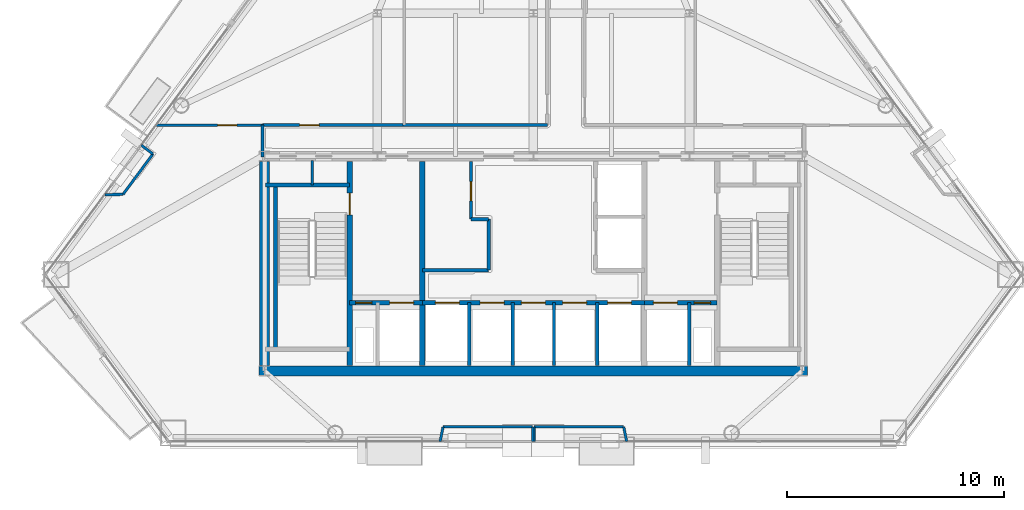
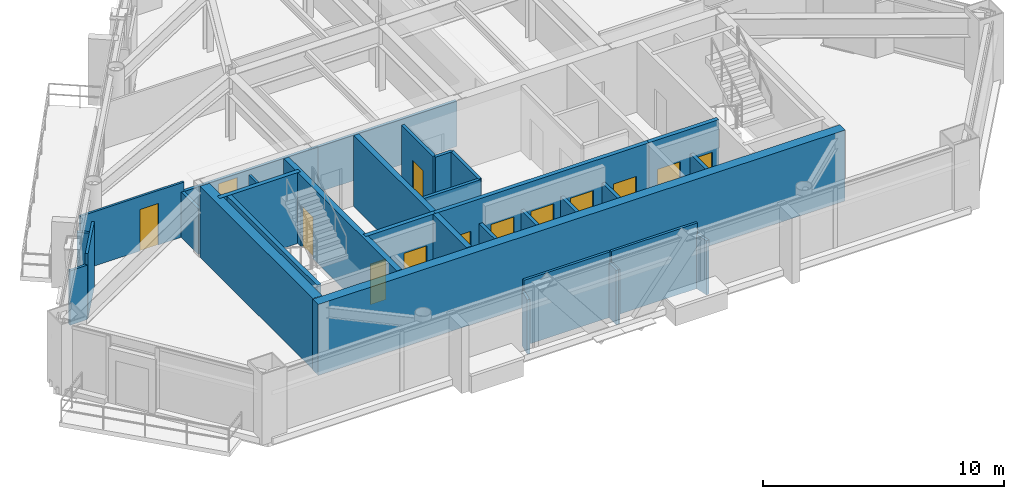
# One storey, part 7 of 11: 32 walls, 13 doors, 13 openings.
"""IFC4 building model written with IfcOpenShell, lengths in metres."""

import ifcopenshell
import ifcopenshell.guid

model = None  # the IFC model being written
_history = None  # IfcOwnerHistory: only IFC2X3 demands one
_inside = {}  # id of a spatial element -> (the spatial element, [elements in it])
_under = {}  # id of a project, library or spatial element -> (it, [spatial elements below it])
_declared = {}  # id of a project -> (the project, [libraries it declares])
_typed = {}  # id of a type object -> (the type object, [elements of that type])
_made_of = {}  # id of a material, layer set ... -> (it, [elements and type objects made of it])


def new_model(schema):
    """Start an empty IFC model of exactly this schema.

    Asked for "IFC4X3", IfcOpenShell would pick the latest addendum, in which some entities
    have other attributes; the version numbers below select the first issue.
    IFC2X3 requires an IfcOwnerHistory on every rooted entity: one is made here for all.
    """
    global model, _history
    if schema == "IFC4X3":
        model = ifcopenshell.file(schema_version=(4, 3, 0, 0))
    else:
        model = ifcopenshell.file(schema=schema)
    _inside.clear()
    _under.clear()
    _declared.clear()
    _typed.clear()
    _made_of.clear()
    _history = None
    if model.schema == "IFC2X3":
        org = make("IfcOrganization", Name="unknown")
        user = make(
            "IfcPersonAndOrganization",
            ThePerson=make("IfcPerson", FamilyName="unknown"),
            TheOrganization=org,
        )
        app = make(
            "IfcApplication",
            ApplicationDeveloper=org,
            Version="unknown",
            ApplicationFullName="unknown",
            ApplicationIdentifier="unknown",
        )
        _history = make(
            "IfcOwnerHistory",
            OwningUser=user,
            OwningApplication=app,
            ChangeAction="ADDED",
            CreationDate=0,
        )
    return model


def make(cls, **values):
    """One entity of the class cls with the attributes given. An attribute that is None is left unset."""
    return model.create_entity(
        cls, **{name: value for name, value in values.items() if value is not None}
    )


def rooted(cls, **values):
    """An entity with a GlobalId (a new one), such as an element, a storey or a relation."""
    return make(cls, GlobalId=ifcopenshell.guid.new(), OwnerHistory=_history, **values)


def si_unit(unit_type, name, prefix=None):
    """IfcSIUnit, for example si_unit("LENGTHUNIT", "METRE", prefix="MILLI")."""
    return make("IfcSIUnit", UnitType=unit_type, Prefix=prefix, Name=name)


def assignment(units):
    """IfcUnitAssignment: the units of a project."""
    return None if units is None else make("IfcUnitAssignment", Units=units)


def point(xyz):
    """IfcCartesianPoint."""
    return None if xyz is None else make("IfcCartesianPoint", Coordinates=xyz)


def direction(xyz):
    """IfcDirection."""
    return None if xyz is None else make("IfcDirection", DirectionRatios=xyz)


def frame(location, z_axis=None, x_axis=None):
    """IfcAxis2Placement3D, a coordinate frame: its origin and axes. An axis left out is left unset."""
    return make(
        "IfcAxis2Placement3D",
        Location=point(location),
        Axis=direction(z_axis),
        RefDirection=direction(x_axis),
    )


def frame_2d(location, x_axis=None):
    """IfcAxis2Placement2D, a coordinate frame in the plane: its origin and x axis."""
    return make(
        "IfcAxis2Placement2D", Location=point(location), RefDirection=direction(x_axis)
    )


def origin():
    """The frame at (0, 0, 0) with its axes left unset."""
    return frame((0.0, 0.0, 0.0))


def place(relative_to, where):
    """IfcLocalPlacement: puts the frame where relative to a parent placement (None: the world)."""
    return make(
        "IfcLocalPlacement", PlacementRelTo=relative_to, RelativePlacement=where
    )


def context(
    kind, dimensions, precision=None, world=None, true_north=None, identifier=None
):
    """IfcGeometricRepresentationContext, for example the 3D "Model" context."""
    return make(
        "IfcGeometricRepresentationContext",
        ContextIdentifier=identifier,
        ContextType=kind,
        CoordinateSpaceDimension=dimensions,
        Precision=precision,
        WorldCoordinateSystem=world,
        TrueNorth=true_north,
    )


def subcontext(parent, identifier, kind, view, scale=None):
    """IfcGeometricRepresentationSubContext, for example "Body" below "Model"."""
    return make(
        "IfcGeometricRepresentationSubContext",
        ContextIdentifier=identifier,
        ContextType=kind,
        ParentContext=parent,
        TargetScale=scale,
        TargetView=view,
    )


def project(units=None, contexts=None):
    """IfcProject with its units and contexts."""
    return rooted(
        "IfcProject",
        Name="project",
        RepresentationContexts=contexts,
        UnitsInContext=assignment(units),
    )


def spatial(cls, under=None, at=None, **own):
    """A site, building, storey or space (cls), placed at a placement, below another one or the project."""
    s = rooted(cls, ObjectPlacement=at, **own)
    if under is not None:
        _under.setdefault(under.id(), (under, []))[1].append(s)
    return s


def profile(cls, at=None, kind="AREA", **sizes):
    """A parametric profile (cls). Its sizes go by their IFC names, for example OverallWidth=200.0."""
    return make(cls, ProfileType=kind, Position=at, **sizes)


def rectangle(**sizes):
    """IfcRectangleProfileDef."""
    return profile("IfcRectangleProfileDef", **sizes)


def extrude(swept, where, along, depth):
    """IfcExtrudedAreaSolid: the profile swept, set in the frame where, extruded along a direction by depth."""
    return make(
        "IfcExtrudedAreaSolid",
        SweptArea=swept,
        Position=where,
        ExtrudedDirection=direction(along),
        Depth=depth,
    )


def shape(context_of_items, identifier, shape_type, items):
    """IfcShapeRepresentation: the items that make up one representation, for example the "Body"."""
    return make(
        "IfcShapeRepresentation",
        ContextOfItems=context_of_items,
        RepresentationIdentifier=identifier,
        RepresentationType=shape_type,
        Items=items,
    )


def material(Name=None, Category=None):
    """IfcMaterial."""
    return make("IfcMaterial", Name=Name, Category=Category)


def layer(
    of_material, thickness, ventilated=None, Name=None, Category=None, Priority=None
):
    """IfcMaterialLayer: one layer of a wall or slab, of a material (None: an air gap)."""
    return make(
        "IfcMaterialLayer",
        Material=of_material,
        LayerThickness=thickness,
        IsVentilated=ventilated,
        Name=Name,
        Category=Category,
        Priority=Priority,
    )


def layer_set(layers, Name=None):
    """IfcMaterialLayerSet."""
    return make("IfcMaterialLayerSet", MaterialLayers=layers, LayerSetName=Name)


def made_of(thing, what):
    """Note that an element or type object is made of a material, layer set ...; save() writes the relation."""
    if what is not None:
        _made_of.setdefault(what.id(), (what, []))[1].append(thing)
    return thing


def type_object(cls, material=None, **own):
    """A type object (cls), such as IfcWallType, which elements share."""
    return made_of(rooted(cls, **own), material)


def element(
    cls,
    number,
    at=None,
    inside=None,
    cuts=None,
    type_object=None,
    material=None,
    context=None,
    identifier="Body",
    shape_type=None,
    held_by="IfcProductDefinitionShape",
    body=None,
    shapes=None,
    **own,
):
    """One element of the class cls, such as IfcWall. Its Tag is "e" and its number.

    at: its placement. inside: the storey or other place that contains it. cuts: it is an
    opening in that element (IfcRelVoidsElement). A single representation is given by context,
    identifier, shape_type and body (its items); several are given by shapes. held_by: the class
    of the entity that holds the representations. save() writes the other relations.
    """
    e = rooted(cls, Tag="e%d" % number, ObjectPlacement=at, **own)
    if body is not None:
        shapes = [shape(context, identifier, shape_type, body)]
    if shapes is not None:
        e.Representation = make(held_by, Representations=shapes)
    if inside is not None:
        _inside.setdefault(inside.id(), (inside, []))[1].append(e)
    if cuts is not None:
        rooted(
            "IfcRelVoidsElement", RelatingBuildingElement=cuts, RelatedOpeningElement=e
        )
    if type_object is not None:
        _typed.setdefault(type_object.id(), (type_object, []))[1].append(e)
    return made_of(e, material)


def fill(opening, filler):
    """IfcRelFillsElement: the door or window that sits in an opening."""
    return rooted(
        "IfcRelFillsElement",
        RelatingOpeningElement=opening,
        RelatedBuildingElement=filler,
    )


def aggregate(whole, parts):
    """IfcRelAggregates: a whole, such as a stair, and the parts it consists of."""
    return rooted("IfcRelAggregates", RelatingObject=whole, RelatedObjects=parts)


def save(model, path):
    """Write the relations noted so far, then the file.

    IfcRelAggregates (storeys below a building ...), IfcRelContainedInSpatialStructure (elements
    in a storey), IfcRelDefinesByType, IfcRelAssociatesMaterial and IfcRelDeclares: one each for
    every whole, place, type object, material and project.
    """
    for whole, parts in _under.values():
        aggregate(whole, parts)
    for where, things in _inside.values():
        rooted(
            "IfcRelContainedInSpatialStructure",
            RelatedElements=things,
            RelatingStructure=where,
        )
    for kind, things in _typed.values():
        rooted("IfcRelDefinesByType", RelatedObjects=things, RelatingType=kind)
    for what, things in _made_of.values():
        rooted("IfcRelAssociatesMaterial", RelatedObjects=things, RelatingMaterial=what)
    for by, libraries in _declared.values():
        rooted("IfcRelDeclares", RelatingContext=by, RelatedDefinitions=libraries)
    model.write(path)


model = new_model("IFC4")

# Units and contexts
model_context = context("Model", 3, precision=1e-05, world=origin(), true_north=direction((0.0, 1.0)))
body_context = subcontext(model_context, "Body", "Model", "MODEL_VIEW")
ifc_project = project(units=[si_unit("LENGTHUNIT", "METRE"), si_unit("AREAUNIT", "SQUARE_METRE"), si_unit("VOLUMEUNIT", "CUBIC_METRE"), si_unit("PLANEANGLEUNIT", "RADIAN"), si_unit("MASSUNIT", "GRAM", prefix="KILO")], contexts=[model_context])

# Site, building, storey
site_placement = place(None, origin())
site = spatial("IfcSite", under=ifc_project, at=site_placement, CompositionType="ELEMENT")
building_placement = place(site_placement, origin())
building = spatial("IfcBuilding", under=site, at=building_placement, Name="Talgorran Terracotta Tower", CompositionType="ELEMENT")
storey_placement = place(building_placement, frame((0.0, 0.0, 114.0)))
storey = spatial("IfcBuildingStorey", under=building, at=storey_placement, Name="L29", CompositionType="ELEMENT", Elevation=114.0)

# Walls
ifc_material_1 = material(Name="Concrete C50/60", Category="concrete")
ifc_layer_1 = layer(ifc_material_1, 0.199951171875, Name="WT_CORE_200")
ifc_layer_set_1 = layer_set([ifc_layer_1], Name="Concrete C50/60")
wall_type_1 = type_object("IfcWallType", Name="WT_CORE_200", PredefinedType="SOLIDWALL", material=ifc_layer_set_1)
wall_1_placement = place(storey_placement, frame((-12.35009765625, -5.52001953125, 0.0), z_axis=(0.0, 0.0, 1.0), x_axis=(1.0, 0.0, 0.0)))
element("IfcWall", 1, at=wall_1_placement, inside=storey, type_object=wall_type_1, Name="WL-L29-CW-ST1-N", PredefinedType="SOLIDWALL", context=body_context, shape_type="SweptSolid", body=[
    extrude(rectangle(XDim=3.8701171875, YDim=0.199951171875, at=frame_2d((1.93505859375, 0.0))), origin(), (0.0, 0.0, 1.0), 3.60009765625),
])
wall_2_placement = place(storey_placement, frame((-11.89990234375, -13.10009765625, 0.0), z_axis=(0.0, 0.0, 1.0), x_axis=(0.0, 1.0, 0.0)))
element("IfcWall", 2, at=wall_2_placement, inside=storey, type_object=wall_type_1, Name="WL-L29-CW-ST1-W", PredefinedType="SOLIDWALL", context=body_context, shape_type="SweptSolid", body=[
    extrude(rectangle(XDim=7.580078125, YDim=0.199951171875, at=frame_2d((3.7900390625, 0.0))), origin(), (0.0, 0.0, 1.0), 3.60009765625),
])

# Wall, openings, doors
wall_3_placement = place(storey_placement, frame((-8.47998046875, -10.949951171875, 0.0), z_axis=(0.0, 0.0, 1.0), x_axis=(1.0, 0.0, 0.0)))
wall_3 = element("IfcWall", 3, at=wall_3_placement, inside=storey, type_object=wall_type_1, Name="WL-L29-CW-H-SBW", PredefinedType="SOLIDWALL", context=body_context, shape_type="SweptSolid", body=[
    extrude(rectangle(XDim=3.35986328125, YDim=0.199951171875, at=frame_2d((1.679931640625, 0.0))), origin(), (0.0, 0.0, 1.0), 3.60009765625),
])
opening_1_placement = place(wall_3_placement, frame((0.280029296875, 0.0, 0.0)))
opening_1 = element("IfcOpeningElement", 4, at=opening_1_placement, cuts=wall_3, Name="Opening DR-RSW", PredefinedType="OPENING", context=body_context, shape_type="SweptSolid", body=[
    extrude(rectangle(XDim=0.756, YDim=2.054048828125, at=frame_2d((0.375, 1.027099609375))), frame((0.0, 0.10986328125, 0.0), z_axis=(0.0, -1.0, 0.0), x_axis=(1.0, 0.0, 0.0)), (0.0, 0.0, 1.0), 0.219970703125),
])
opening_2_placement = place(wall_3_placement, frame((1.85009765625, 0.0, 0.0)))
opening_2 = element("IfcOpeningElement", 5, at=opening_2_placement, cuts=wall_3, Name="Opening LD-FFL1", PredefinedType="OPENING", context=body_context, shape_type="SweptSolid", body=[
    extrude(rectangle(XDim=1.10609765625, YDim=2.10409765625, at=frame_2d((0.550048828125, 1.052001953125))), frame((0.0, 0.10986328125, 0.0), z_axis=(0.0, -1.0, 0.0), x_axis=(1.0, 0.0, 0.0)), (0.0, 0.0, 1.0), 0.219970703125),
])
ifc_material_2 = material(Name="Brushed Stainless Steel Grade 304", Category="steel")
door_type_1 = type_object("IfcDoorType", Name="DT_LIFT_LD1100", OperationType="DOUBLE_DOOR_SLIDING", PredefinedType="DOOR", material=ifc_material_2)
door_1_placement = place(opening_2_placement, origin())
door_1 = element("IfcDoor", 6, at=door_1_placement, inside=storey, type_object=door_type_1, Name="L29 Lift Landing Door LD-FFL1", OperationType="DOUBLE_DOOR_SLIDING", OverallHeight=2.10009765625, OverallWidth=1.10009765625, PredefinedType="DOOR", context=body_context, shape_type="SweptSolid", body=[
    extrude(rectangle(XDim=1.10009765625, YDim=2.10009765625, at=frame_2d((0.550048828125, 1.050048828125))), frame((0.0, 0.02490234375, 0.0), z_axis=(0.0, -1.0, 0.0), x_axis=(1.0, 0.0, 0.0)), (0.0, 0.0, 1.0), 0.050048828125),
])
fill(opening_2, door_1)
ifc_material_3 = material(Name="Fire-Rated Pressed Steel", Category="steel")
door_type_2 = type_object("IfcDoorType", Name="DT_RISER_750", OperationType="NOTDEFINED", PredefinedType="DOOR", material=ifc_material_3)
door_2_placement = place(opening_1_placement, origin())
door_2 = element("IfcDoor", 7, at=door_2_placement, inside=storey, type_object=door_type_2, Name="DR-RSW", OperationType="SINGLE_SWING_LEFT", OverallHeight=2.050048828125, OverallWidth=0.75, PredefinedType="DOOR", context=body_context, shape_type="SweptSolid", body=[
    extrude(rectangle(XDim=0.75, YDim=2.050048828125, at=frame_2d((0.375, 1.02490234375))), frame((0.0, 0.02490234375, 0.0), z_axis=(0.0, -1.0, 0.0), x_axis=(1.0, 0.0, 0.0)), (0.0, 0.0, 1.0), 0.050048828125),
])
fill(opening_1, door_2)

wall_4_placement = place(storey_placement, frame((-5.1201171875, -10.949951171875, 0.0), z_axis=(0.0, 0.0, 1.0), x_axis=(1.0, 0.0, 0.0)))
wall_4 = element("IfcWall", 8, at=wall_4_placement, inside=storey, type_object=wall_type_1, Name="WL-L29-CW-H-SBC", PredefinedType="SOLIDWALL", context=body_context, shape_type="SweptSolid", body=[
    extrude(rectangle(XDim=10.240234375, YDim=0.199951171875, at=frame_2d((5.1201171875, 0.0))), origin(), (0.0, 0.0, 1.0), 3.60009765625),
])
opening_3_placement = place(wall_4_placement, frame((0.60009765625, 0.0, 0.0)))
opening_3 = element("IfcOpeningElement", 9, at=opening_3_placement, cuts=wall_4, Name="Opening LD-OB1", PredefinedType="OPENING", context=body_context, shape_type="SweptSolid", body=[
    extrude(rectangle(XDim=1.10609765625, YDim=2.10409765625, at=frame_2d((0.550048828125, 1.052001953125))), frame((0.0, 0.10986328125, 0.0), z_axis=(0.0, -1.0, 0.0), x_axis=(1.0, 0.0, 0.0)), (0.0, 0.0, 1.0), 0.219970703125),
])
opening_4_placement = place(wall_4_placement, frame((2.669921875, 0.0, 0.0)))
opening_4 = element("IfcOpeningElement", 10, at=opening_4_placement, cuts=wall_4, Name="Opening LD-PLH1", PredefinedType="OPENING", context=body_context, shape_type="SweptSolid", body=[
    extrude(rectangle(XDim=1.10609765625, YDim=2.10409765625, at=frame_2d((0.550048828125, 1.052001953125))), frame((0.0, 0.10986328125, 0.0), z_axis=(0.0, -1.0, 0.0), x_axis=(1.0, 0.0, 0.0)), (0.0, 0.0, 1.0), 0.219970703125),
])
opening_5_placement = place(wall_4_placement, frame((4.570068359375, 0.0, 0.0)))
opening_5 = element("IfcOpeningElement", 11, at=opening_5_placement, cuts=wall_4, Name="Opening LD-PLH2", PredefinedType="OPENING", context=body_context, shape_type="SweptSolid", body=[
    extrude(rectangle(XDim=1.10609765625, YDim=2.10409765625, at=frame_2d((0.550048828125, 1.052001953125))), frame((0.0, 0.10986328125, 0.0), z_axis=(0.0, -1.0, 0.0), x_axis=(1.0, 0.0, 0.0)), (0.0, 0.0, 1.0), 0.219970703125),
])
opening_6_placement = place(wall_4_placement, frame((6.469970703125, 0.0, 0.0)))
opening_6 = element("IfcOpeningElement", 12, at=opening_6_placement, cuts=wall_4, Name="Opening LD-PLH3", PredefinedType="OPENING", context=body_context, shape_type="SweptSolid", body=[
    extrude(rectangle(XDim=1.10609765625, YDim=2.10409765625, at=frame_2d((0.550048828125, 1.052001953125))), frame((0.0, 0.10986328125, 0.0), z_axis=(0.0, -1.0, 0.0), x_axis=(1.0, 0.0, 0.0)), (0.0, 0.0, 1.0), 0.219970703125),
])
opening_7_placement = place(wall_4_placement, frame((8.5400390625, 0.0, 0.0)))
opening_7 = element("IfcOpeningElement", 13, at=opening_7_placement, cuts=wall_4, Name="Opening LD-SVL1", PredefinedType="OPENING", context=body_context, shape_type="SweptSolid", body=[
    extrude(rectangle(XDim=1.10609765625, YDim=2.10409765625, at=frame_2d((0.550048828125, 1.052001953125))), frame((0.0, 0.10986328125, 0.0), z_axis=(0.0, -1.0, 0.0), x_axis=(1.0, 0.0, 0.0)), (0.0, 0.0, 1.0), 0.219970703125),
])
door_3_placement = place(opening_3_placement, origin())
door_3 = element("IfcDoor", 14, at=door_3_placement, inside=storey, type_object=door_type_1, Name="L29 Lift Landing Door LD-OB1", OperationType="DOUBLE_DOOR_SLIDING", OverallHeight=2.10009765625, OverallWidth=1.10009765625, PredefinedType="DOOR", context=body_context, shape_type="SweptSolid", body=[
    extrude(rectangle(XDim=1.10009765625, YDim=2.10009765625, at=frame_2d((0.550048828125, 1.050048828125))), frame((0.0, 0.02490234375, 0.0), z_axis=(0.0, -1.0, 0.0), x_axis=(1.0, 0.0, 0.0)), (0.0, 0.0, 1.0), 0.050048828125),
])
fill(opening_3, door_3)
door_4_placement = place(opening_4_placement, origin())
door_4 = element("IfcDoor", 15, at=door_4_placement, inside=storey, type_object=door_type_1, Name="L29 Lift Landing Door LD-PLH1", OperationType="DOUBLE_DOOR_SLIDING", OverallHeight=2.10009765625, OverallWidth=1.10009765625, PredefinedType="DOOR", context=body_context, shape_type="SweptSolid", body=[
    extrude(rectangle(XDim=1.10009765625, YDim=2.10009765625, at=frame_2d((0.550048828125, 1.050048828125))), frame((0.0, 0.02490234375, 0.0), z_axis=(0.0, -1.0, 0.0), x_axis=(1.0, 0.0, 0.0)), (0.0, 0.0, 1.0), 0.050048828125),
])
fill(opening_4, door_4)
door_5_placement = place(opening_5_placement, origin())
door_5 = element("IfcDoor", 16, at=door_5_placement, inside=storey, type_object=door_type_1, Name="L29 Lift Landing Door LD-PLH2", OperationType="DOUBLE_DOOR_SLIDING", OverallHeight=2.10009765625, OverallWidth=1.10009765625, PredefinedType="DOOR", context=body_context, shape_type="SweptSolid", body=[
    extrude(rectangle(XDim=1.10009765625, YDim=2.10009765625, at=frame_2d((0.550048828125, 1.050048828125))), frame((0.0, 0.02490234375, 0.0), z_axis=(0.0, -1.0, 0.0), x_axis=(1.0, 0.0, 0.0)), (0.0, 0.0, 1.0), 0.050048828125),
])
fill(opening_5, door_5)
door_6_placement = place(opening_6_placement, origin())
door_6 = element("IfcDoor", 17, at=door_6_placement, inside=storey, type_object=door_type_1, Name="L29 Lift Landing Door LD-PLH3", OperationType="DOUBLE_DOOR_SLIDING", OverallHeight=2.10009765625, OverallWidth=1.10009765625, PredefinedType="DOOR", context=body_context, shape_type="SweptSolid", body=[
    extrude(rectangle(XDim=1.10009765625, YDim=2.10009765625, at=frame_2d((0.550048828125, 1.050048828125))), frame((0.0, 0.02490234375, 0.0), z_axis=(0.0, -1.0, 0.0), x_axis=(1.0, 0.0, 0.0)), (0.0, 0.0, 1.0), 0.050048828125),
])
fill(opening_6, door_6)
door_7_placement = place(opening_7_placement, origin())
door_7 = element("IfcDoor", 18, at=door_7_placement, inside=storey, type_object=door_type_1, Name="L29 Lift Landing Door LD-SVL1", OperationType="DOUBLE_DOOR_SLIDING", OverallHeight=2.10009765625, OverallWidth=1.10009765625, PredefinedType="DOOR", context=body_context, shape_type="SweptSolid", body=[
    extrude(rectangle(XDim=1.10009765625, YDim=2.10009765625, at=frame_2d((0.550048828125, 1.050048828125))), frame((0.0, 0.02490234375, 0.0), z_axis=(0.0, -1.0, 0.0), x_axis=(1.0, 0.0, 0.0)), (0.0, 0.0, 1.0), 0.050048828125),
])
fill(opening_7, door_7)

wall_5_placement = place(storey_placement, frame((5.1201171875, -10.949951171875, 0.0), z_axis=(0.0, 0.0, 1.0), x_axis=(1.0, 0.0, 0.0)))
wall_5 = element("IfcWall", 19, at=wall_5_placement, inside=storey, type_object=wall_type_1, Name="WL-L29-CW-H-SBE", PredefinedType="SOLIDWALL", context=body_context, shape_type="SweptSolid", body=[
    extrude(rectangle(XDim=3.35986328125, YDim=0.199951171875, at=frame_2d((1.679931640625, 0.0))), origin(), (0.0, 0.0, 1.0), 3.60009765625),
])
opening_8_placement = place(wall_5_placement, frame((0.419921875, 0.0, 0.0)))
opening_8 = element("IfcOpeningElement", 20, at=opening_8_placement, cuts=wall_5, Name="Opening LD-FFL2", PredefinedType="OPENING", context=body_context, shape_type="SweptSolid", body=[
    extrude(rectangle(XDim=1.10609765625, YDim=2.10409765625, at=frame_2d((0.550048828125, 1.052001953125))), frame((0.0, 0.10986328125, 0.0), z_axis=(0.0, -1.0, 0.0), x_axis=(1.0, 0.0, 0.0)), (0.0, 0.0, 1.0), 0.219970703125),
])
opening_9_placement = place(wall_5_placement, frame((2.300048828125, 0.0, 0.0)))
opening_9 = element("IfcOpeningElement", 21, at=opening_9_placement, cuts=wall_5, Name="Opening DR-RSE", PredefinedType="OPENING", context=body_context, shape_type="SweptSolid", body=[
    extrude(rectangle(XDim=0.756, YDim=2.054048828125, at=frame_2d((0.375, 1.027099609375))), frame((0.0, 0.10986328125, 0.0), z_axis=(0.0, -1.0, 0.0), x_axis=(1.0, 0.0, 0.0)), (0.0, 0.0, 1.0), 0.219970703125),
])
door_8_placement = place(opening_8_placement, origin())
door_8 = element("IfcDoor", 22, at=door_8_placement, inside=storey, type_object=door_type_1, Name="L29 Lift Landing Door LD-FFL2", OperationType="DOUBLE_DOOR_SLIDING", OverallHeight=2.10009765625, OverallWidth=1.10009765625, PredefinedType="DOOR", context=body_context, shape_type="SweptSolid", body=[
    extrude(rectangle(XDim=1.10009765625, YDim=2.10009765625, at=frame_2d((0.550048828125, 1.050048828125))), frame((0.0, 0.02490234375, 0.0), z_axis=(0.0, -1.0, 0.0), x_axis=(1.0, 0.0, 0.0)), (0.0, 0.0, 1.0), 0.050048828125),
])
fill(opening_8, door_8)
door_9_placement = place(opening_9_placement, origin())
door_9 = element("IfcDoor", 23, at=door_9_placement, inside=storey, type_object=door_type_2, Name="DR-RSE", OperationType="SINGLE_SWING_RIGHT", OverallHeight=2.050048828125, OverallWidth=0.75, PredefinedType="DOOR", context=body_context, shape_type="SweptSolid", body=[
    extrude(rectangle(XDim=0.75, YDim=2.050048828125, at=frame_2d((0.375, 1.02490234375))), frame((0.0, 0.02490234375, 0.0), z_axis=(0.0, -1.0, 0.0), x_axis=(1.0, 0.0, 0.0)), (0.0, 0.0, 1.0), 0.050048828125),
])
fill(opening_9, door_9)

# Wall, opening, door
ifc_layer_2 = layer(ifc_material_1, 0.25, Name="WT_CORE_250")
ifc_layer_set_2 = layer_set([ifc_layer_2], Name="Concrete C50/60")
wall_type_2 = type_object("IfcWallType", Name="WT_CORE_250", PredefinedType="SHEAR", material=ifc_layer_set_2)
wall_6_placement = place(storey_placement, frame((-8.47998046875, -13.85009765625, 0.0), z_axis=(0.0, 0.0, 1.0), x_axis=(0.0, 1.0, 0.0)))
wall_6 = element("IfcWall", 24, at=wall_6_placement, inside=storey, type_object=wall_type_2, Name="WL-L29-CW-V-W1", PredefinedType="SHEAR", context=body_context, shape_type="SweptSolid", body=[
    extrude(rectangle(XDim=9.400146484375, YDim=0.25, at=frame_2d((4.7001953125, 0.0))), origin(), (0.0, 0.0, 1.0), 3.60009765625),
])
opening_10_placement = place(wall_6_placement, frame((6.949951171875, 0.0, 0.0)))
opening_10 = element("IfcOpeningElement", 25, at=opening_10_placement, cuts=wall_6, Name="Opening DR-ST01", PredefinedType="OPENING", context=body_context, shape_type="SweptSolid", body=[
    extrude(rectangle(XDim=1.006, YDim=2.10409765625, at=frame_2d((0.5, 1.052001953125))), frame((0.0, 0.135009765625, 0.0), z_axis=(0.0, -1.0, 0.0), x_axis=(1.0, 0.0, 0.0)), (0.0, 0.0, 1.0), 0.27001953125),
])
door_type_3 = type_object("IfcDoorType", Name="DT_FIRE_1000", OperationType="NOTDEFINED", PredefinedType="DOOR", material=ifc_material_3)
door_10_placement = place(opening_10_placement, origin())
door_10 = element("IfcDoor", 26, at=door_10_placement, inside=storey, type_object=door_type_3, Name="DR-ST01", OperationType="SINGLE_SWING_LEFT", OverallHeight=2.10009765625, OverallWidth=1.0, PredefinedType="DOOR", context=body_context, shape_type="SweptSolid", body=[
    extrude(rectangle(XDim=1.0, YDim=2.10009765625, at=frame_2d((0.5, 1.050048828125))), frame((0.0, 0.02490234375, 0.0), z_axis=(0.0, -1.0, 0.0), x_axis=(1.0, 0.0, 0.0)), (0.0, 0.0, 1.0), 0.050048828125),
])
fill(opening_10, door_10)

# Walls
wall_7_placement = place(storey_placement, frame((-5.1201171875, -13.85009765625, 0.0), z_axis=(0.0, 0.0, 1.0), x_axis=(0.0, 1.0, 0.0)))
element("IfcWall", 27, at=wall_7_placement, inside=storey, type_object=wall_type_2, Name="WL-L29-CW-V-W2", PredefinedType="SHEAR", context=body_context, shape_type="SweptSolid", body=[
    extrude(rectangle(XDim=9.400146484375, YDim=0.25, at=frame_2d((4.7001953125, 0.0))), origin(), (0.0, 0.0, 1.0), 3.60009765625),
])
ifc_material_4 = material(Name="Concrete C65/80", Category="concrete")
ifc_layer_3 = layer(ifc_material_4, 0.449951171875, Name="WT_CORE_EXT")
ifc_layer_set_3 = layer_set([ifc_layer_3], Name="Concrete C65/80")
wall_type_3 = type_object("IfcWallType", Name="WT_CORE_EXT", PredefinedType="SHEAR", material=ifc_layer_set_3)
wall_8_placement = place(storey_placement, frame((-12.64990234375, -14.10009765625, 0.0), z_axis=(0.0, 0.0, 1.0), x_axis=(1.0, 0.0, 0.0)))
element("IfcWall", 28, at=wall_8_placement, inside=storey, type_object=wall_type_3, Name="WL-L29-CW-OUT-S", PredefinedType="SHEAR", context=body_context, shape_type="SweptSolid", body=[
    extrude(rectangle(XDim=25.2998046875, YDim=0.449951171875, at=frame_2d((12.64990234375, 0.0))), origin(), (0.0, 0.0, 1.0), 3.60009765625),
])
wall_9_placement = place(storey_placement, frame((-12.39990234375, -13.85009765625, 0.0), z_axis=(0.0, 0.0, 1.0), x_axis=(0.0, 1.0, 0.0)))
element("IfcWall", 29, at=wall_9_placement, inside=storey, type_object=wall_type_3, Name="WL-L29-CW-OUT-W", PredefinedType="SHEAR", context=body_context, shape_type="SweptSolid", body=[
    extrude(rectangle(XDim=9.400146484375, YDim=0.449951171875, at=frame_2d((4.7001953125, 0.0))), origin(), (0.0, 0.0, 1.0), 3.60009765625),
])
ifc_material_5 = material(Name="Fire-Rated Steel Stud Plasterboard", Category="steel")
ifc_layer_4 = layer(ifc_material_5, 0.14990234375, Name="WT_FIRE_150")
ifc_layer_set_4 = layer_set([ifc_layer_4], Name="Fire-Rated Steel Stud Plasterboard")
wall_type_4 = type_object("IfcWallType", Name="WT_FIRE_150", PredefinedType="PARTITIONING", material=ifc_layer_set_4)
wall_10_placement = place(storey_placement, frame((-5.1201171875, -9.449951171875, 0.0), z_axis=(0.0, 0.0, 1.0), x_axis=(1.0, 0.0, 0.0)))
element("IfcWall", 30, at=wall_10_placement, inside=storey, type_object=wall_type_4, Name="WL-L29-CW-H-W4N", PredefinedType="PARTITIONING", context=body_context, shape_type="SweptSolid", body=[
    extrude(rectangle(XDim=3.06005859375, YDim=0.14990234375, at=frame_2d((1.530029296875, 0.0))), origin(), (0.0, 0.0, 1.0), 3.320068359375),
])
wall_11_placement = place(storey_placement, frame((-2.06005859375, -9.449951171875, 0.0), z_axis=(0.0, 0.0, 1.0), x_axis=(0.0, 1.0, 0.0)))
element("IfcWall", 31, at=wall_11_placement, inside=storey, type_object=wall_type_4, Name="WL-L29-CW-V-W3S2", PredefinedType="PARTITIONING", context=body_context, shape_type="SweptSolid", body=[
    extrude(rectangle(XDim=2.349853515625, YDim=0.14990234375, at=frame_2d((1.1748046875, 0.0))), origin(), (0.0, 0.0, 1.0), 3.320068359375),
])
wall_12_placement = place(storey_placement, frame((-2.8798828125, -7.10009765625, 0.0), z_axis=(0.0, 0.0, 1.0), x_axis=(1.0, 0.0, 0.0)))
element("IfcWall", 32, at=wall_12_placement, inside=storey, type_object=wall_type_4, Name="WL-L29-CW-H-W3M2", PredefinedType="PARTITIONING", context=body_context, shape_type="SweptSolid", body=[
    extrude(rectangle(XDim=0.81982421875, YDim=0.14990234375, at=frame_2d((0.409912109375, 0.0))), origin(), (0.0, 0.0, 1.0), 3.320068359375),
])

# Wall, opening, door
wall_13_placement = place(storey_placement, frame((-2.8798828125, -7.10009765625, 0.0), z_axis=(0.0, 0.0, 1.0), x_axis=(0.0, 1.0, 0.0)))
wall_13 = element("IfcWall", 33, at=wall_13_placement, inside=storey, type_object=wall_type_4, Name="WL-L29-CW-V-W3N", PredefinedType="PARTITIONING", context=body_context, shape_type="SweptSolid", body=[
    extrude(rectangle(XDim=2.650146484375, YDim=0.14990234375, at=frame_2d((1.3251953125, 0.0))), origin(), (0.0, 0.0, 1.0), 3.320068359375),
])
opening_11_placement = place(wall_13_placement, frame((0.85009765625, 0.0, 0.0)))
opening_11 = element("IfcOpeningElement", 34, at=opening_11_placement, cuts=wall_13, Name="Opening DR-FRPLL-B", PredefinedType="OPENING", context=body_context, shape_type="SweptSolid", body=[
    extrude(rectangle(XDim=0.8858828125, YDim=2.10409765625, at=frame_2d((0.43994140625, 1.052001953125))), frame((0.0, 0.0849609375, 0.0), z_axis=(0.0, -1.0, 0.0), x_axis=(1.0, 0.0, 0.0)), (0.0, 0.0, 1.0), 0.169921875),
])
ifc_material_6 = material(Name="Solid-Core Painted Timber", Category="wood")
door_type_4 = type_object("IfcDoorType", Name="DT_INT_880", OperationType="NOTDEFINED", PredefinedType="DOOR", material=ifc_material_6)
door_11_placement = place(opening_11_placement, origin())
door_11 = element("IfcDoor", 35, at=door_11_placement, inside=storey, type_object=door_type_4, Name="DR-FRPLL-B", OperationType="SINGLE_SWING_LEFT", OverallHeight=2.10009765625, OverallWidth=0.8798828125, PredefinedType="DOOR", context=body_context, shape_type="SweptSolid", body=[
    extrude(rectangle(XDim=0.8798828125, YDim=2.10009765625, at=frame_2d((0.43994140625, 1.050048828125))), frame((0.0, 0.02490234375, 0.0), z_axis=(0.0, -1.0, 0.0), x_axis=(1.0, 0.0, 0.0)), (0.0, 0.0, 1.0), 0.050048828125),
])
fill(opening_11, door_11)

# Wall
wall_14_placement = place(storey_placement, frame((-6.02001953125, -2.760009765625, 0.0), z_axis=(0.0, 0.0, 1.0), x_axis=(1.0, 0.0, 0.0)))
element("IfcWall", 36, at=wall_14_placement, inside=storey, type_object=wall_type_4, Name="WL-L29-W-L29-R06", PredefinedType="PARTITIONING", context=body_context, shape_type="SweptSolid", body=[
    extrude(rectangle(XDim=6.659912109375, YDim=0.14990234375, at=frame_2d((3.330078125, 0.0))), origin(), (0.0, 0.0, 1.0), 2.294921875),
])

# Wall, opening, door
wall_15_placement = place(storey_placement, frame((-12.5, -2.760009765625, 0.0), z_axis=(0.0, 0.0, 1.0), x_axis=(1.0, 0.0, 0.0)))
wall_15 = element("IfcWall", 37, at=wall_15_placement, inside=storey, type_object=wall_type_4, Name="WL-L29-W-L29-R05", PredefinedType="PARTITIONING", context=body_context, shape_type="SweptSolid", body=[
    extrude(rectangle(XDim=6.47802734375, YDim=0.14990234375, at=frame_2d((3.239013671875, 0.0))), origin(), (0.0, 0.0, 1.0), 2.294921875),
])
opening_12_placement = place(wall_15_placement, frame((1.714111328125, 0.0, 0.0)))
opening_12 = element("IfcOpeningElement", 38, at=opening_12_placement, cuts=wall_15, Name="Opening DR-L29-R03", PredefinedType="OPENING", context=body_context, shape_type="SweptSolid", body=[
    extrude(rectangle(XDim=0.90590234375, YDim=2.10409765625, at=frame_2d((0.449951171875, 1.052001953125))), frame((0.0, 0.0849609375, 0.0), z_axis=(0.0, -1.0, 0.0), x_axis=(1.0, 0.0, 0.0)), (0.0, 0.0, 1.0), 0.169921875),
])
ifc_material_7 = material(Name="Fire-Rated Timber Core", Category="wood")
door_type_5 = type_object("IfcDoorType", Name="DT_FIRE_900", OperationType="NOTDEFINED", PredefinedType="DOOR", material=ifc_material_7)
door_12_placement = place(opening_12_placement, origin())
door_12 = element("IfcDoor", 39, at=door_12_placement, inside=storey, type_object=door_type_5, Name="DR-L29-R03", OperationType="SINGLE_SWING_LEFT", OverallHeight=2.10009765625, OverallWidth=0.89990234375, PredefinedType="DOOR", context=body_context, shape_type="SweptSolid", body=[
    extrude(rectangle(XDim=0.89990234375, YDim=2.10009765625, at=frame_2d((0.449951171875, 1.050048828125))), frame((0.0, 0.02490234375, 0.0), z_axis=(0.0, -1.0, 0.0), x_axis=(1.0, 0.0, 0.0)), (0.0, 0.0, 1.0), 0.050048828125),
])
fill(opening_12, door_12)

# Wall
wall_16_placement = place(storey_placement, frame((-12.5, -4.239990234375, 0.0), z_axis=(0.0, 0.0, 1.0), x_axis=(0.0, 1.0, 0.0)))
element("IfcWall", 40, at=wall_16_placement, inside=storey, type_object=wall_type_4, Name="WL-L29-W-L29-R11", PredefinedType="PARTITIONING", context=body_context, shape_type="SweptSolid", body=[
    extrude(rectangle(XDim=1.47998046875, YDim=0.14990234375, at=frame_2d((0.739990234375, 0.0))), origin(), (0.0, 0.0, 1.0), 2.294921875),
])

# Wall, opening, door
ifc_material_8 = material(Name="Lightweight Steel Stud Partition", Category="steel")
ifc_layer_5 = layer(ifc_material_8, 0.10498046875, Name="WT_PART_110")
ifc_layer_set_5 = layer_set([ifc_layer_5], Name="Lightweight Steel Stud Partition")
wall_type_5 = type_object("IfcWallType", Name="WT_PART_110", PredefinedType="PARTITIONING", material=ifc_layer_set_5)
wall_17_placement = place(storey_placement, frame((-17.411376953125, -2.760009765625, 0.0), z_axis=(0.0, 0.0, 1.0), x_axis=(1.0, 0.0, 0.0)))
wall_17 = element("IfcWall", 41, at=wall_17_placement, inside=storey, type_object=wall_type_5, Name="WL-L29-W-L29-R18", PredefinedType="PARTITIONING", context=body_context, shape_type="SweptSolid", body=[
    extrude(rectangle(XDim=4.971435546875, YDim=0.10498046875, at=frame_2d((2.48583984375, 0.0))), origin(), (0.0, 0.0, 1.0), 2.761962890625),
])
opening_13_placement = place(wall_17_placement, frame((2.853759765625, 0.0, 0.0)))
opening_13 = element("IfcOpeningElement", 42, at=opening_13_placement, cuts=wall_17, Name="Opening DR-L29-R07", PredefinedType="OPENING", context=body_context, shape_type="SweptSolid", body=[
    extrude(rectangle(XDim=0.8858828125, YDim=2.10409765625, at=frame_2d((0.43994140625, 1.052001953125))), frame((0.0, 0.0625, 0.0), z_axis=(0.0, -1.0, 0.0), x_axis=(1.0, 0.0, 0.0)), (0.0, 0.0, 1.0), 0.125),
])
door_13_placement = place(opening_13_placement, origin())
door_13 = element("IfcDoor", 43, at=door_13_placement, inside=storey, type_object=door_type_4, Name="DR-L29-R07", OperationType="SINGLE_SWING_LEFT", OverallHeight=2.10009765625, OverallWidth=0.8798828125, PredefinedType="DOOR", context=body_context, shape_type="SweptSolid", body=[
    extrude(rectangle(XDim=0.8798828125, YDim=2.10009765625, at=frame_2d((0.43994140625, 1.050048828125))), frame((0.0, 0.02490234375, 0.0), z_axis=(0.0, -1.0, 0.0), x_axis=(1.0, 0.0, 0.0)), (0.0, 0.0, 1.0), 0.050048828125),
])
fill(opening_13, door_13)

# Walls
ifc_material_9 = material(Name="Insulated Steel Stud Plasterboard", Category="steel")
ifc_layer_6 = layer(ifc_material_9, 0.1201171875, Name="WT_PART_120")
ifc_layer_set_6 = layer_set([ifc_layer_6], Name="Insulated Steel Stud Plasterboard")
wall_type_6 = type_object("IfcWallType", Name="WT_PART_120", PredefinedType="PARTITIONING", material=ifc_layer_set_6)
wall_18_placement = place(storey_placement, frame((-10.199951171875, -5.52001953125, 0.0), z_axis=(0.0, 0.0, 1.0), x_axis=(0.0, 1.0, 0.0)))
element("IfcWall", 44, at=wall_18_placement, inside=storey, type_object=wall_type_6, Name="WL-L29-CW-CSW-DIV", PredefinedType="PARTITIONING", context=body_context, shape_type="SweptSolid", body=[
    extrude(rectangle(XDim=1.1201171875, YDim=0.1201171875, at=frame_2d((0.56005859375, 0.0))), origin(), (0.0, 0.0, 1.0), 3.320068359375),
])
for number, where, z_axis, x_axis, name in (
    (45, (-4.16796875, -16.683349609375, 0.0), (0.0, 0.0, 1.0), (1.0, 0.0, 0.0), "WL-L29-BW-L29-01"),
    (46, (0.031982421875, -16.683349609375, 0.0), (0.0, 0.0, 1.0), (1.0, 0.0, 0.0), "WL-L29-BW-L29-06"),
):
    element("IfcWall", number, at=place(storey_placement, frame(where, z_axis=z_axis, x_axis=x_axis)), inside=storey, type_object=wall_type_6, Name=name, PredefinedType="PARTITIONING", context=body_context, shape_type="SweptSolid", body=[
        extrude(rectangle(XDim=4.135986328125, YDim=0.1201171875, at=frame_2d((2.06787109375, 0.0))), origin(), (0.0, 0.0, 1.0), 3.320068359375),
    ])
wall_19_placement = place(storey_placement, frame((-17.548095703125, -4.088623046875, 0.0), z_axis=(0.0, 0.0, 1.0), x_axis=(-0.594707185977, -0.803942387829, 0.0)))
element("IfcWall", 47, at=wall_19_placement, inside=storey, type_object=wall_type_6, Name="WL-L29-BW-L29-08", PredefinedType="PARTITIONING", context=body_context, shape_type="SweptSolid", body=[
    extrude(rectangle(XDim=2.3232421875, YDim=0.1201171875, at=frame_2d((1.16162109375, 0.0))), origin(), (0.0, 0.0, 1.0), 3.320068359375),
])
wall_20_placement = place(storey_placement, frame((-18.9296875, -5.956298828125, 0.0), z_axis=(0.0, 0.0, 1.0), x_axis=(-0.999903115379, -0.013919764947, 0.0)))
element("IfcWall", 48, at=wall_20_placement, inside=storey, type_object=wall_type_6, Name="WL-L29-BW-L29-09", PredefinedType="PARTITIONING", context=body_context, shape_type="SweptSolid", body=[
    extrude(rectangle(XDim=0.841796875, YDim=0.1201171875, at=frame_2d((0.4208984375, 0.0))), origin(), (0.0, 0.0, 1.0), 2.761962890625),
])
for number, where, z_axis, x_axis, name in (
    (49, (-4.30126953125, -17.353271484375, 0.0), (0.0, 0.0, 1.0), (0.195153744134, 0.980772662828, 0.0), "WL-L29-BW-L29-03"),
    (50, (4.16796875, -16.683349609375, 0.0), (0.0, 0.0, 1.0), (0.195153744134, -0.980772662828, 0.0), "WL-L29-BW-L29-04"),
):
    element("IfcWall", number, at=place(storey_placement, frame(where, z_axis=z_axis, x_axis=x_axis)), inside=storey, type_object=wall_type_6, Name=name, PredefinedType="PARTITIONING", context=body_context, shape_type="SweptSolid", body=[
        extrude(rectangle(XDim=0.68310546875, YDim=0.1201171875, at=frame_2d((0.341552734375, 0.0))), origin(), (0.0, 0.0, 1.0), 2.761962890625),
    ])
wall_21_placement = place(storey_placement, frame((-18.0869140625, -3.690185546875, 0.0), z_axis=(0.0, 0.0, 1.0), x_axis=(0.804047409182, -0.594565188847, 0.0)))
element("IfcWall", 51, at=wall_21_placement, inside=storey, type_object=wall_type_6, Name="WL-L29-BW-L29-07", PredefinedType="PARTITIONING", context=body_context, shape_type="SweptSolid", body=[
    extrude(rectangle(XDim=0.670166015625, YDim=0.1201171875, at=frame_2d((0.3349609375, 0.0))), origin(), (0.0, 0.0, 1.0), 2.761962890625),
])
for number, where, z_axis, x_axis, name in (
    (52, (-0.031982421875, -16.683349609375, 0.0), (0.0, 0.0, 1.0), (0.0, -1.0, 0.0), "WL-L29-BW-L29-02"),
    (53, (0.031982421875, -17.353271484375, 0.0), (0.0, 0.0, 1.0), (0.0, 1.0, 0.0), "WL-L29-BW-L29-05"),
):
    element("IfcWall", number, at=place(storey_placement, frame(where, z_axis=z_axis, x_axis=x_axis)), inside=storey, type_object=wall_type_6, Name=name, PredefinedType="PARTITIONING", context=body_context, shape_type="SweptSolid", body=[
        extrude(rectangle(XDim=0.669921875, YDim=0.1201171875, at=frame_2d((0.3349609375, 0.0))), origin(), (0.0, 0.0, 1.0), 2.761962890625),
    ])
ifc_material_10 = material(Name="Fire-Rated Shaftwall")
ifc_layer_7 = layer(ifc_material_10, 0.159912109375, Name="WT_PART_150")
ifc_layer_set_7 = layer_set([ifc_layer_7], Name="Fire-Rated Shaftwall")
wall_type_7 = type_object("IfcWallType", Name="WT_PART_150", PredefinedType="PARTITIONING", material=ifc_layer_set_7)
for number, where, z_axis, x_axis, name in (
    (54, (7.179931640625, -13.85009765625, 0.0), (0.0, 0.0, 1.0), (0.0, 1.0, 0.0), "WL-L29-CW-RSE"),
    (55, (-2.949951171875, -13.85009765625, 0.0), (0.0, 0.0, 1.0), (0.0, 1.0, 0.0), "WL-L29-CW-OB-E"),
    (56, (2.949951171875, -13.85009765625, 0.0), (0.0, 0.0, 1.0), (0.0, 1.0, 0.0), "WL-L29-CW-SV-W"),
    (57, (-0.949951171875, -13.85009765625, 0.0), (0.0, 0.0, 1.0), (0.0, 1.0, 0.0), "WL-L29-CW-PLH-D1"),
    (58, (0.949951171875, -13.85009765625, 0.0), (0.0, 0.0, 1.0), (0.0, 1.0, 0.0), "WL-L29-CW-PLH-D2"),
):
    element("IfcWall", number, at=place(storey_placement, frame(where, z_axis=z_axis, x_axis=x_axis)), inside=storey, type_object=wall_type_7, Name=name, PredefinedType="PARTITIONING", context=body_context, shape_type="SweptSolid", body=[
        extrude(rectangle(XDim=2.900146484375, YDim=0.159912109375, at=frame_2d((1.4501953125, 0.0))), origin(), (0.0, 0.0, 1.0), 2.344970703125),
    ])

save(model, "model.ifc")
